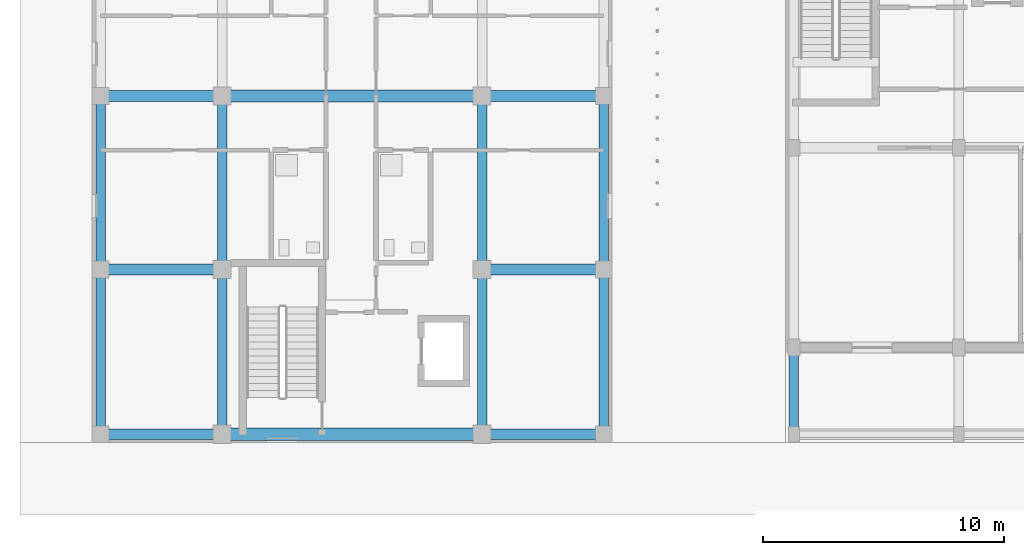
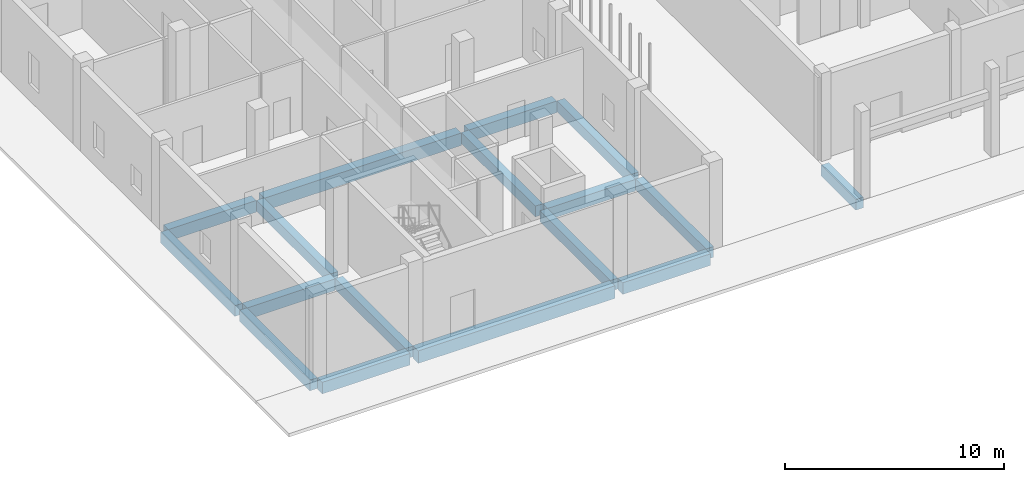
# One storey, part 3 of 85: 17 beams.
"""IFC4 building model written with IfcOpenShell, lengths in metres."""

from ifc_helpers import new_model, si_unit, derived_unit, direction, frame, origin, origin_2d, place, context, subcontext, project, spatial, rectangle, extrude, material, material_profile, profile_set, type_object, element, save


model = new_model("IFC4")

# Units and contexts
model_context = context("Model", 3, precision=1e-05, world=origin(), true_north=direction((0.0, 1.0)))
body_context = subcontext(model_context, "Body", "Model", "MODEL_VIEW")
ifc_project = project(units=[si_unit("LENGTHUNIT", "METRE"), si_unit("AREAUNIT", "SQUARE_METRE"), si_unit("VOLUMEUNIT", "CUBIC_METRE"), si_unit("PLANEANGLEUNIT", "RADIAN"), si_unit("MASSUNIT", "GRAM", prefix="KILO"), derived_unit("THERMALTRANSMITTANCEUNIT", [(si_unit("MASSUNIT", "GRAM", prefix="KILO"), 1), (si_unit("TIMEUNIT", "SECOND"), -3), (si_unit("THERMODYNAMICTEMPERATUREUNIT", "KELVIN"), -1)])], contexts=[model_context])

# Site, building, storey
site_placement = place(None, origin())
site = spatial("IfcSite", under=ifc_project, at=site_placement, CompositionType="ELEMENT")
building_placement = place(site_placement, origin())
building = spatial("IfcBuilding", under=site, at=building_placement, Name="Ochrekiln Boulevard Commons", CompositionType="ELEMENT")
storey_placement = place(building_placement, origin())
storey = spatial("IfcBuildingStorey", under=building, at=storey_placement, Name="L00", CompositionType="ELEMENT", Elevation=0.0)

# Beams
ifc_material_1 = material(Name="Concrete C35/45", Category="concrete")
ifc_material_profile_1 = material_profile(ifc_material_1, rectangle(XDim=0.39990234375, YDim=0.60009765625, at=origin_2d()), Name="RC-BM-400x600")
ifc_profile_set_1 = profile_set([ifc_material_profile_1], Name="Concrete C35/45")
beam_type_1 = type_object("IfcBeamType", Name="BM-RC-400x600", PredefinedType="BEAM", material=ifc_profile_set_1)
beam_1_placement = place(storey_placement, frame((0.35009765625, 0.56005859375, -0.580078125), z_axis=(0.0, 1.0, 0.0), x_axis=(-1.0, 0.0, 0.0)))
element("IfcBeam", 1, at=beam_1_placement, inside=storey, type_object=beam_type_1, Name="Block D L00 Beam B-4060 Y23", PredefinedType="BEAM", context=body_context, shape_type="SweptSolid", body=[
    extrude(rectangle(XDim=0.39990234375, YDim=0.60009765625, at=origin_2d()), origin(), (0.0, 0.0, 1.0), 6.429931640625),
])
beam_2_placement = place(storey_placement, frame((0.35009765625, 7.409912109375, -0.580078125), z_axis=(0.0, 1.0, 0.0), x_axis=(-1.0, 0.0, 0.0)))
element("IfcBeam", 2, at=beam_2_placement, inside=storey, type_object=beam_type_1, Name="Block D L00 Beam B-4060 Y24", PredefinedType="BEAM", context=body_context, shape_type="SweptSolid", body=[
    extrude(rectangle(XDim=0.39990234375, YDim=0.60009765625, at=origin_2d()), origin(), (0.0, 0.0, 1.0), 6.780029296875),
])
beam_3_placement = place(storey_placement, frame((5.39990234375, 0.56005859375, -0.580078125), z_axis=(0.0, 1.0, 0.0), x_axis=(-1.0, 0.0, 0.0)))
element("IfcBeam", 3, at=beam_3_placement, inside=storey, type_object=beam_type_1, Name="Block D L00 Beam B-4060 Y30", PredefinedType="BEAM", context=body_context, shape_type="SweptSolid", body=[
    extrude(rectangle(XDim=0.39990234375, YDim=0.60009765625, at=origin_2d()), origin(), (0.0, 0.0, 1.0), 6.429931640625),
])
beam_4_placement = place(storey_placement, frame((5.39990234375, 7.409912109375, -0.580078125), z_axis=(0.0, 1.0, 0.0), x_axis=(-1.0, 0.0, 0.0)))
element("IfcBeam", 4, at=beam_4_placement, inside=storey, type_object=beam_type_1, Name="Block D L00 Beam B-4060 Y31", PredefinedType="BEAM", context=body_context, shape_type="SweptSolid", body=[
    extrude(rectangle(XDim=0.39990234375, YDim=0.60009765625, at=origin_2d()), origin(), (0.0, 0.0, 1.0), 6.780029296875),
])
beam_5_placement = place(storey_placement, frame((16.199951171875, 0.56005859375, -0.580078125), z_axis=(0.0, 1.0, 0.0), x_axis=(-1.0, 0.0, 0.0)))
element("IfcBeam", 5, at=beam_5_placement, inside=storey, type_object=beam_type_1, Name="Block D L00 Beam B-4060 Y37", PredefinedType="BEAM", context=body_context, shape_type="SweptSolid", body=[
    extrude(rectangle(XDim=0.39990234375, YDim=0.60009765625, at=origin_2d()), origin(), (0.0, 0.0, 1.0), 6.429931640625),
])
beam_6_placement = place(storey_placement, frame((16.199951171875, 7.409912109375, -0.580078125), z_axis=(0.0, 1.0, 0.0), x_axis=(-1.0, 0.0, 0.0)))
element("IfcBeam", 6, at=beam_6_placement, inside=storey, type_object=beam_type_1, Name="Block D L00 Beam B-4060 Y38", PredefinedType="BEAM", context=body_context, shape_type="SweptSolid", body=[
    extrude(rectangle(XDim=0.39990234375, YDim=0.60009765625, at=origin_2d()), origin(), (0.0, 0.0, 1.0), 6.780029296875),
])
beam_7_placement = place(storey_placement, frame((21.25, 0.56005859375, -0.580078125), z_axis=(0.0, 1.0, 0.0), x_axis=(-1.0, 0.0, 0.0)))
element("IfcBeam", 7, at=beam_7_placement, inside=storey, type_object=beam_type_1, Name="Block D L00 Beam B-4060 Y44", PredefinedType="BEAM", context=body_context, shape_type="SweptSolid", body=[
    extrude(rectangle(XDim=0.39990234375, YDim=0.60009765625, at=origin_2d()), origin(), (0.0, 0.0, 1.0), 6.429931640625),
])
beam_8_placement = place(storey_placement, frame((21.25, 7.409912109375, -0.580078125), z_axis=(0.0, 1.0, 0.0), x_axis=(-1.0, 0.0, 0.0)))
element("IfcBeam", 8, at=beam_8_placement, inside=storey, type_object=beam_type_1, Name="Block D L00 Beam B-4060 Y45", PredefinedType="BEAM", context=body_context, shape_type="SweptSolid", body=[
    extrude(rectangle(XDim=0.39990234375, YDim=0.60009765625, at=origin_2d()), origin(), (0.0, 0.0, 1.0), 6.780029296875),
])
beam_9_placement = place(storey_placement, frame((29.14990234375, 0.56005859375, -0.590087890625), z_axis=(0.0, 1.0, 0.0), x_axis=(-1.0, 0.0, 0.0)))
element("IfcBeam", 9, at=beam_9_placement, inside=storey, type_object=beam_type_1, Name="West Boulevard Shops and Arcade L00 Beam B-4060 Y17", PredefinedType="BEAM", context=body_context, shape_type="SweptSolid", body=[
    extrude(rectangle(XDim=0.39990234375, YDim=0.60009765625, at=origin_2d()), origin(), (0.0, 0.0, 1.0), 3.179931640625),
])
ifc_material_profile_2 = material_profile(ifc_material_1, rectangle(XDim=0.449951171875, YDim=0.64990234375, at=origin_2d()), Name="RC-BM-450x650")
ifc_profile_set_2 = profile_set([ifc_material_profile_2], Name="Concrete C35/45")
beam_type_2 = type_object("IfcBeamType", Name="BM-RC-450x650", PredefinedType="BEAM", material=ifc_profile_set_2)
beam_10_placement = place(storey_placement, frame((0.56005859375, 0.35009765625, -0.60498046875), z_axis=(1.0, 0.0, 0.0), x_axis=(0.0, 1.0, 0.0)))
element("IfcBeam", 10, at=beam_10_placement, inside=storey, type_object=beam_type_2, Name="Block D L00 Beam B-4565 X1", PredefinedType="BEAM", context=body_context, shape_type="SweptSolid", body=[
    extrude(rectangle(XDim=0.449951171875, YDim=0.64990234375, at=origin_2d()), origin(), (0.0, 0.0, 1.0), 4.6298828125),
])
beam_11_placement = place(storey_placement, frame((16.409912109375, 0.35009765625, -0.60498046875), z_axis=(1.0, 0.0, 0.0), x_axis=(0.0, 1.0, 0.0)))
element("IfcBeam", 11, at=beam_11_placement, inside=storey, type_object=beam_type_2, Name="Block D L00 Beam B-4565 X3", PredefinedType="BEAM", context=body_context, shape_type="SweptSolid", body=[
    extrude(rectangle(XDim=0.449951171875, YDim=0.64990234375, at=origin_2d()), origin(), (0.0, 0.0, 1.0), 4.630126953125),
])
beam_12_placement = place(storey_placement, frame((0.56005859375, 7.199951171875, -0.60498046875), z_axis=(1.0, 0.0, 0.0), x_axis=(0.0, 1.0, 0.0)))
element("IfcBeam", 12, at=beam_12_placement, inside=storey, type_object=beam_type_2, Name="Block D L00 Beam B-4565 X4", PredefinedType="BEAM", context=body_context, shape_type="SweptSolid", body=[
    extrude(rectangle(XDim=0.449951171875, YDim=0.64990234375, at=origin_2d()), origin(), (0.0, 0.0, 1.0), 4.6298828125),
])
beam_13_placement = place(storey_placement, frame((16.409912109375, 7.199951171875, -0.60498046875), z_axis=(1.0, 0.0, 0.0), x_axis=(0.0, 1.0, 0.0)))
element("IfcBeam", 13, at=beam_13_placement, inside=storey, type_object=beam_type_2, Name="Block D L00 Beam B-4565 X5", PredefinedType="BEAM", context=body_context, shape_type="SweptSolid", body=[
    extrude(rectangle(XDim=0.449951171875, YDim=0.64990234375, at=origin_2d()), origin(), (0.0, 0.0, 1.0), 4.630126953125),
])
beam_14_placement = place(storey_placement, frame((0.56005859375, 14.39990234375, -0.60498046875), z_axis=(1.0, 0.0, 0.0), x_axis=(0.0, 1.0, 0.0)))
element("IfcBeam", 14, at=beam_14_placement, inside=storey, type_object=beam_type_2, Name="Block D L00 Beam B-4565 X6", PredefinedType="BEAM", context=body_context, shape_type="SweptSolid", body=[
    extrude(rectangle(XDim=0.449951171875, YDim=0.64990234375, at=origin_2d()), origin(), (0.0, 0.0, 1.0), 4.6298828125),
])
beam_15_placement = place(storey_placement, frame((16.409912109375, 14.39990234375, -0.60498046875), z_axis=(1.0, 0.0, 0.0), x_axis=(0.0, 1.0, 0.0)))
element("IfcBeam", 15, at=beam_15_placement, inside=storey, type_object=beam_type_2, Name="Block D L00 Beam B-4565 X8", PredefinedType="BEAM", context=body_context, shape_type="SweptSolid", body=[
    extrude(rectangle(XDim=0.449951171875, YDim=0.64990234375, at=origin_2d()), origin(), (0.0, 0.0, 1.0), 4.630126953125),
])
ifc_material_2 = material(Name="Concrete C40/50", Category="concrete")
ifc_material_profile_3 = material_profile(ifc_material_2, rectangle(XDim=0.5, YDim=0.699951171875, at=origin_2d()), Name="RC-BM-500x700")
ifc_profile_set_3 = profile_set([ifc_material_profile_3], Name="Concrete C40/50")
beam_type_3 = type_object("IfcBeamType", Name="BM-RC-500x700", PredefinedType="BEAM", material=ifc_profile_set_3)
for number, where, z_axis, x_axis, name in (
    (16, (5.610107421875, 0.35009765625, -0.6298828125), (1.0, 0.0, 0.0), (0.0, 1.0, 0.0), "Block D L00 Beam B-5070 X2"),
    (17, (5.610107421875, 14.39990234375, -0.6298828125), (1.0, 0.0, 0.0), (0.0, 1.0, 0.0), "Block D L00 Beam B-5070 X7"),
):
    element("IfcBeam", number, at=place(storey_placement, frame(where, z_axis=z_axis, x_axis=x_axis)), inside=storey, type_object=beam_type_3, Name=name, PredefinedType="BEAM", context=body_context, shape_type="SweptSolid", body=[
        extrude(rectangle(XDim=0.5, YDim=0.699951171875, at=origin_2d()), origin(), (0.0, 0.0, 1.0), 10.3798828125),
    ])

save(model, "model.ifc")
